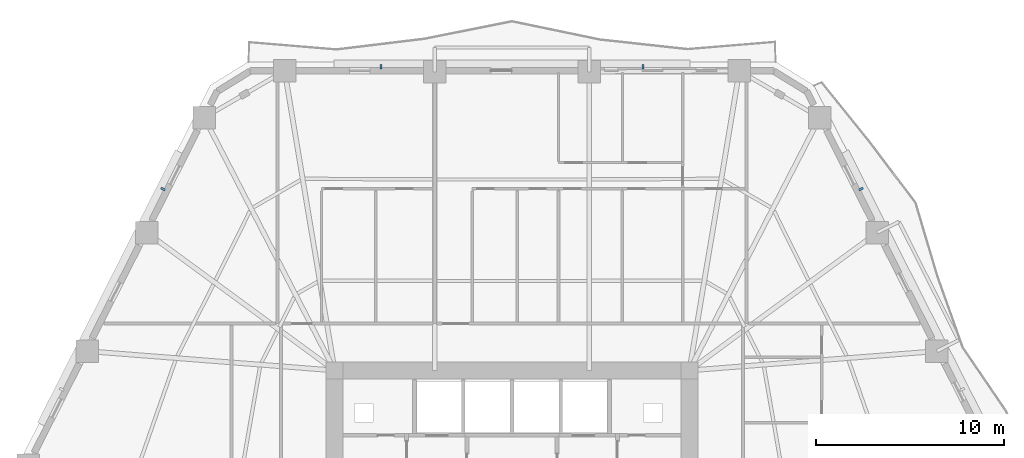
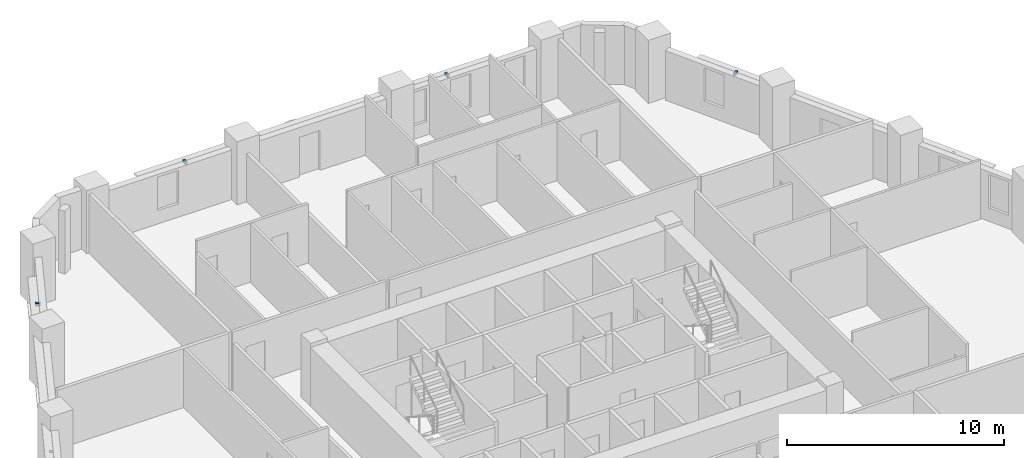
# One storey, part 9 of 13: 4 discrete accessories.
"""IFC4 building model written with IfcOpenShell, lengths in metres."""

from ifc_helpers import new_model, si_unit, direction, frame, origin, origin_2d, place, context, subcontext, project, spatial, rectangle, extrude, material, type_object, element, save


model = new_model("IFC4")

# Units and contexts
model_context = context("Model", 3, precision=1e-05, world=origin(), true_north=direction((0.0, 1.0)))
body_context = subcontext(model_context, "Body", "Model", "MODEL_VIEW")
ifc_project = project(units=[si_unit("LENGTHUNIT", "METRE"), si_unit("AREAUNIT", "SQUARE_METRE"), si_unit("VOLUMEUNIT", "CUBIC_METRE"), si_unit("PLANEANGLEUNIT", "RADIAN"), si_unit("MASSUNIT", "GRAM", prefix="KILO")], contexts=[model_context])

# Site, building, storey
site_placement = place(None, origin())
site = spatial("IfcSite", under=ifc_project, at=site_placement, CompositionType="ELEMENT")
building_placement = place(site_placement, origin())
building = spatial("IfcBuilding", under=site, at=building_placement, Name="Cinnabar Lancet Tower", CompositionType="ELEMENT")
storey_placement = place(building_placement, frame((0.0, 0.0, 63.949951171875)))
storey = spatial("IfcBuildingStorey", under=building, at=storey_placement, Name="L16", CompositionType="ELEMENT", Elevation=63.949951171875)

# Discrete accessories
ifc_material = material(Name="Stainless steel 316 facade fixing bracket", Category="steel")
discrete_accessory_type = type_object("IfcDiscreteAccessoryType", Name="ENV-ACC-BRK-180", PredefinedType="BRACKET", material=ifc_material)
for number, where, z_axis, x_axis, name in (
    (1, (50.993896484375, 43.02099609375, 2.60009765625), (0.0, 0.0, 1.0), (-0.451500573218, 0.892270829056, 0.0), "L16 Face 3 Sunshade Bracket B"),
    (2, (39.383056640625, 49.5400390625, 2.60009765625), (0.0, 0.0, 1.0), (-1.0, 0.0, 0.0), "L16 Face 4 Sunshade Bracket A"),
    (3, (25.4169921875, 49.5400390625, 2.60009765625), (0.0, 0.0, 1.0), (-1.0, 0.0, 0.0), "L16 Face 4 Sunshade Bracket B"),
    (4, (13.805908203125, 43.02099609375, 2.60009765625), (0.0, 0.0, 1.0), (-0.451500573218, -0.892270829056, 0.0), "L16 Face 5 Sunshade Bracket A"),
):
    element("IfcDiscreteAccessory", number, at=place(storey_placement, frame(where, z_axis=z_axis, x_axis=x_axis)), inside=storey, type_object=discrete_accessory_type, Name=name, PredefinedType="BRACKET", context=body_context, shape_type="SweptSolid", body=[
        extrude(rectangle(XDim=0.1201171875, YDim=0.239990234375, at=origin_2d()), origin(), (0.0, 0.0, 1.0), 0.159912109375),
    ])

save(model, "model.ifc")
